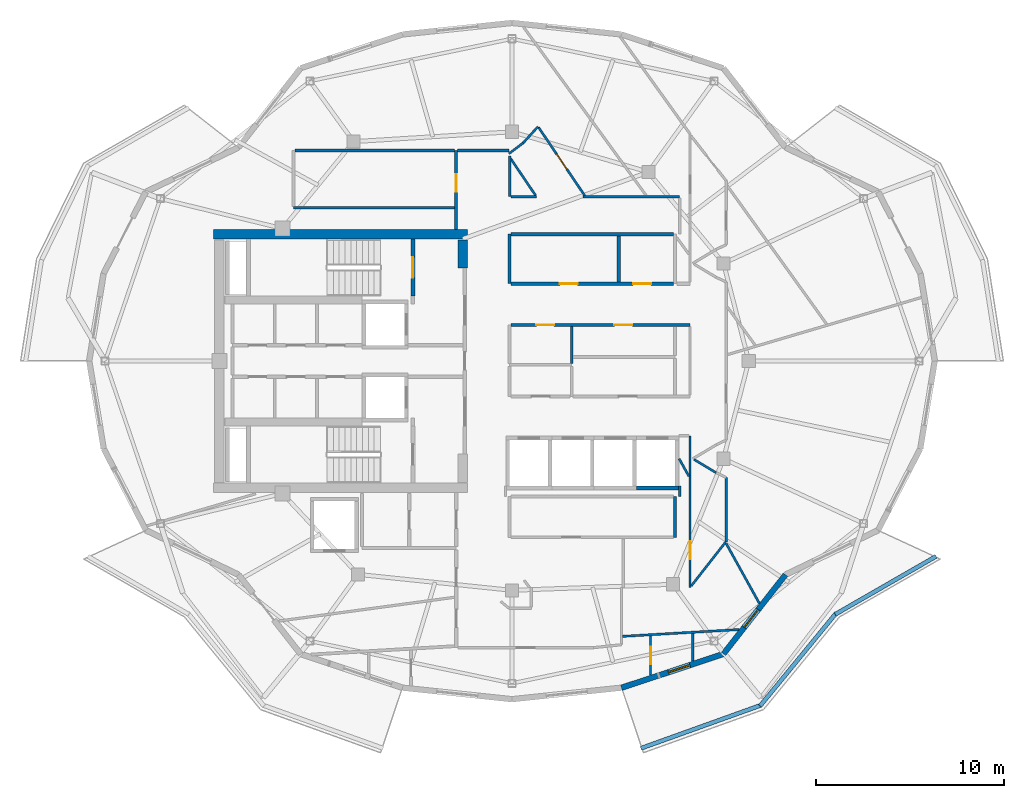
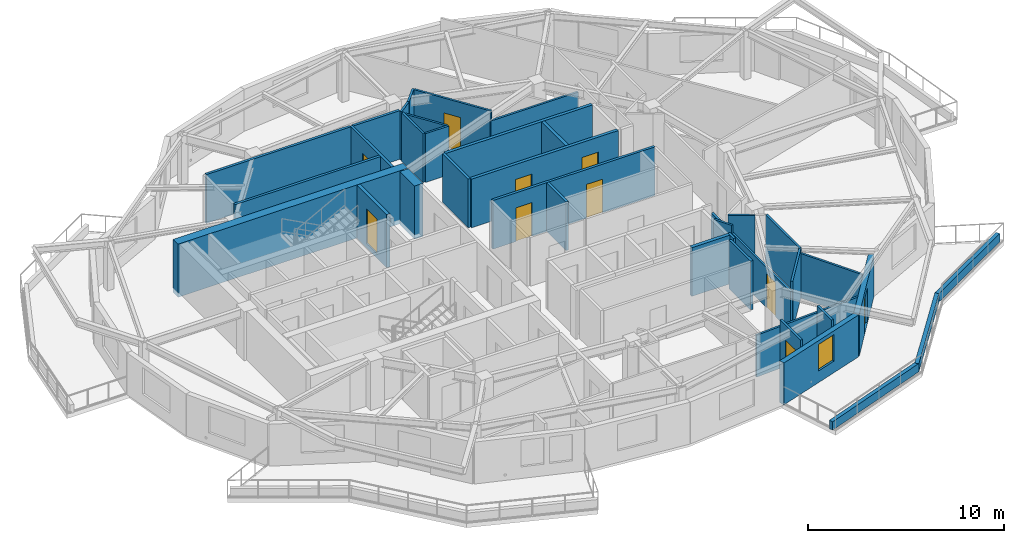
# One storey, part 6 of 11: 37 walls, 10 doors, 1 window, 11 openings.
"""IFC4 building model written with IfcOpenShell, lengths in metres."""

from ifc_helpers import new_model, si_unit, direction, frame, frame_2d, origin, place, context, subcontext, project, spatial, rectangle, extrude, material, layer, layer_set, type_object, element, fill, save


model = new_model("IFC4")

# Units and contexts
model_context = context("Model", 3, precision=1e-05, world=origin(), true_north=direction((0.0, 1.0)))
body_context = subcontext(model_context, "Body", "Model", "MODEL_VIEW")
ifc_project = project(units=[si_unit("LENGTHUNIT", "METRE"), si_unit("AREAUNIT", "SQUARE_METRE"), si_unit("VOLUMEUNIT", "CUBIC_METRE"), si_unit("PLANEANGLEUNIT", "RADIAN"), si_unit("MASSUNIT", "GRAM", prefix="KILO")], contexts=[model_context])

# Site, building, storey
site_placement = place(None, origin())
site = spatial("IfcSite", under=ifc_project, at=site_placement, CompositionType="ELEMENT")
building_placement = place(site_placement, origin())
building = spatial("IfcBuilding", under=site, at=building_placement, Name="Kolvaren Gate Tower and Convention Centre", CompositionType="ELEMENT")
storey_placement = place(building_placement, frame((0.0, 0.0, 242.60009765625)))
storey = spatial("IfcBuildingStorey", under=building, at=storey_placement, Name="L65", CompositionType="ELEMENT", Elevation=242.60009765625)

# Wall, openings, doors
ifc_material_1 = material(Name="Autoclaved Aerated Masonry Blockwork Class 4 (4.0 MPa)", Category="masonry")
ifc_layer_1 = layer(ifc_material_1, 0.179931640625)
ifc_layer_set_1 = layer_set([ifc_layer_1], Name="Autoclaved Aerated Masonry Blockwork Class 4 (4.0 MPa)")
wall_type_1 = type_object("IfcWallType", Name="ARCH-WL-COMP-180", PredefinedType="SOLIDWALL", material=ifc_layer_set_1)
wall_1_placement = place(storey_placement, frame((30.076904296875, 31.1201171875, 0.0), z_axis=(0.0, 0.0, 1.0), x_axis=(1.0, 0.0, 0.0)))
wall_1 = element("IfcWall", 1, at=wall_1_placement, inside=storey, type_object=wall_type_1, Name="Interior Partition WL-L65-INT-028", PredefinedType="SOLIDWALL", context=body_context, shape_type="SweptSolid", body=[
    extrude(rectangle(XDim=8.631103515625, YDim=0.179931640625, at=frame_2d((4.3154296875, 0.0))), origin(), (0.0, 0.0, 1.0), 3.02978515625),
])
opening_1_placement = place(wall_1_placement, frame((2.591552734375, 0.0, 0.0)))
opening_1 = element("IfcOpeningElement", 2, at=opening_1_placement, cuts=wall_1, Name="Opening DR-01", PredefinedType="OPENING", context=body_context, shape_type="SweptSolid", body=[
    extrude(rectangle(XDim=0.949951171875, YDim=2.10009765625, at=frame_2d((0.47509765625, 1.050048828125))), frame((0.0, 0.099853515625, 0.0), z_axis=(0.0, -1.0, 0.0), x_axis=(1.0, 0.0, 0.0)), (0.0, 0.0, 1.0), 0.199951171875),
])
opening_2_placement = place(wall_1_placement, frame((6.4970703125, 0.0, 0.0)))
opening_2 = element("IfcOpeningElement", 3, at=opening_2_placement, cuts=wall_1, Name="Opening DR-01", PredefinedType="OPENING", context=body_context, shape_type="SweptSolid", body=[
    extrude(rectangle(XDim=0.949951171875, YDim=2.10009765625, at=frame_2d((0.47509765625, 1.050048828125))), frame((0.0, 0.099853515625, 0.0), z_axis=(0.0, -1.0, 0.0), x_axis=(1.0, 0.0, 0.0)), (0.0, 0.0, 1.0), 0.199951171875),
])
ifc_material_2 = material(Name="Painted Architectural Steelwork ASTM A500 Grade C 345 MPa", Category="steel")
door_type_1 = type_object("IfcDoorType", Name="ARCH-DR-RISER-950", OperationType="SINGLE_SWING_RIGHT", PredefinedType="DOOR", material=ifc_material_2)
door_1_placement = place(opening_1_placement, origin())
door_1 = element("IfcDoor", 4, at=door_1_placement, inside=storey, type_object=door_type_1, Name="Steward Supply Store Door", OperationType="SINGLE_SWING_LEFT", OverallHeight=2.10009765625, OverallWidth=0.949951171875, PredefinedType="DOOR", context=body_context, shape_type="SweptSolid", body=[
    extrude(rectangle(XDim=0.949951171875, YDim=2.10009765625, at=frame_2d((0.47509765625, 1.050048828125))), frame((0.0, 0.02490234375, 0.0), z_axis=(0.0, -1.0, 0.0), x_axis=(1.0, 0.0, 0.0)), (0.0, 0.0, 1.0), 0.050048828125),
])
fill(opening_1, door_1)
door_2_placement = place(opening_2_placement, origin())
door_2 = element("IfcDoor", 5, at=door_2_placement, inside=storey, type_object=door_type_1, Name="Floor Telecom Switch Room Door", OperationType="SINGLE_SWING_RIGHT", OverallHeight=2.10009765625, OverallWidth=0.949951171875, PredefinedType="DOOR", context=body_context, shape_type="SweptSolid", body=[
    extrude(rectangle(XDim=0.949951171875, YDim=2.10009765625, at=frame_2d((0.47509765625, 1.050048828125))), frame((0.0, 0.02490234375, 0.0), z_axis=(0.0, -1.0, 0.0), x_axis=(1.0, 0.0, 0.0)), (0.0, 0.0, 1.0), 0.050048828125),
])
fill(opening_2, door_2)

# Walls
wall_2_placement = place(storey_placement, frame((30.076904296875, 33.75, 0.0), z_axis=(0.0, 0.0, 1.0), x_axis=(1.0, 0.0, 0.0)))
element("IfcWall", 6, at=wall_2_placement, inside=storey, type_object=wall_type_1, Name="Interior Partition WL-L65-INT-029", PredefinedType="SOLIDWALL", context=body_context, shape_type="SweptSolid", body=[
    extrude(rectangle(XDim=8.631103515625, YDim=0.179931640625, at=frame_2d((4.3154296875, 0.0))), origin(), (0.0, 0.0, 1.0), 3.02978515625),
])
wall_3_placement = place(storey_placement, frame((35.800048828125, 31.2119140625, 0.0), z_axis=(0.0, 0.0, 1.0), x_axis=(0.0, 1.0, 0.0)))
element("IfcWall", 7, at=wall_3_placement, inside=storey, type_object=wall_type_1, Name="Interior Partition WL-L65-INT-030", PredefinedType="SOLIDWALL", context=body_context, shape_type="SweptSolid", body=[
    extrude(rectangle(XDim=2.446044921875, YDim=0.179931640625, at=frame_2d((1.22314453125, 0.0))), origin(), (0.0, 0.0, 1.0), 3.02978515625),
])
ifc_material_3 = material(Name="Fire-Rated Acoustic Gypsum Stud Partition", Category="gypsum")
ifc_layer_2 = layer(ifc_material_3, 0.1201171875)
ifc_layer_set_2 = layer_set([ifc_layer_2], Name="Fire-Rated Acoustic Gypsum Stud Partition")
wall_type_2 = type_object("IfcWallType", Name="ARCH-WL-PART-120", PredefinedType="PARTITIONING", material=ifc_layer_set_2)
wall_4_placement = place(storey_placement, frame((30.0, 35.75, 0.0), z_axis=(0.0, 0.0, 1.0), x_axis=(0.0, 1.0, 0.0)))
element("IfcWall", 8, at=wall_4_placement, inside=storey, type_object=wall_type_2, Name="Interior Partition WL-L65-INT-020", PredefinedType="PARTITIONING", context=body_context, shape_type="SweptSolid", body=[
    extrude(rectangle(XDim=2.1640625, YDim=0.1201171875, at=frame_2d((1.08203125, 0.0))), origin(), (0.0, 0.0, 1.0), 3.02978515625),
])
wall_5_placement = place(storey_placement, frame((29.9599609375, 38.032958984375, 0.0), z_axis=(0.0, 0.0, 1.0), x_axis=(0.79811694623, 0.602502564426, 0.0)))
element("IfcWall", 9, at=wall_5_placement, inside=storey, type_object=wall_type_2, Name="Interior Partition WL-L65-INT-036", PredefinedType="PARTITIONING", context=body_context, shape_type="SweptSolid", body=[
    extrude(rectangle(XDim=0.950927734375, YDim=0.1201171875, at=frame_2d((0.4755859375, 0.0))), origin(), (0.0, 0.0, 1.0), 3.02978515625),
])
wall_6_placement = place(storey_placement, frame((30.718994140625, 38.60595703125, 0.0), z_axis=(0.0, 0.0, 1.0), x_axis=(0.671846687959, 0.740690237466, 0.0)))
element("IfcWall", 10, at=wall_6_placement, inside=storey, type_object=wall_type_2, Name="Interior Partition WL-L65-INT-037", PredefinedType="PARTITIONING", context=body_context, shape_type="SweptSolid", body=[
    extrude(rectangle(XDim=1.177490234375, YDim=0.1201171875, at=frame_2d((0.5888671875, 0.0))), origin(), (0.0, 0.0, 1.0), 3.02978515625),
])

# Wall, opening, door
wall_7_placement = place(storey_placement, frame((31.5458984375, 39.425048828125, 0.0), z_axis=(0.0, 0.0, 1.0), x_axis=(0.56035895857, -0.828249864202, 0.0)))
wall_7 = element("IfcWall", 11, at=wall_7_placement, inside=storey, type_object=wall_type_2, Name="Interior Partition WL-L65-INT-038", PredefinedType="PARTITIONING", context=body_context, shape_type="SweptSolid", body=[
    extrude(rectangle(XDim=4.370849609375, YDim=0.1201171875, at=frame_2d((2.185546875, 0.0))), origin(), (0.0, 0.0, 1.0), 3.02978515625),
])
opening_3_placement = place(wall_7_placement, frame((1.71044921875, 0.0, 0.0)))
opening_3 = element("IfcOpeningElement", 12, at=opening_3_placement, cuts=wall_7, Name="Opening DR-01", PredefinedType="OPENING", context=body_context, shape_type="SweptSolid", body=[
    extrude(rectangle(XDim=0.949951171875, YDim=2.10009765625, at=frame_2d((0.47509765625, 1.050048828125))), frame((0.0, 0.070068359375, 0.0), z_axis=(0.0, -1.0, 0.0), x_axis=(1.0, 0.0, 0.0)), (0.0, 0.0, 1.0), 0.14013671875),
])
door_3_placement = place(opening_3_placement, origin())
door_3 = element("IfcDoor", 13, at=door_3_placement, inside=storey, type_object=door_type_1, Name="Resident Private Study and Home Office Door", OperationType="SINGLE_SWING_LEFT", OverallHeight=2.10009765625, OverallWidth=0.949951171875, PredefinedType="DOOR", context=body_context, shape_type="SweptSolid", body=[
    extrude(rectangle(XDim=0.949951171875, YDim=2.10009765625, at=frame_2d((0.47509765625, 1.050048828125))), frame((0.0, 0.02490234375, 0.0), z_axis=(0.0, -1.0, 0.0), x_axis=(1.0, 0.0, 0.0)), (0.0, 0.0, 1.0), 0.050048828125),
])
fill(opening_3, door_3)

# Walls
wall_8_placement = place(storey_placement, frame((30.06201171875, 35.75, 0.0), z_axis=(0.0, 0.0, 1.0), x_axis=(1.0, 0.0, 0.0)))
element("IfcWall", 14, at=wall_8_placement, inside=storey, type_object=wall_type_2, Name="Interior Partition WL-L65-INT-039", PredefinedType="PARTITIONING", context=body_context, shape_type="SweptSolid", body=[
    extrude(rectangle(XDim=1.362060546875, YDim=0.1201171875, at=frame_2d((0.68115234375, 0.0))), origin(), (0.0, 0.0, 1.0), 3.02978515625),
])
wall_9_placement = place(storey_placement, frame((33.9130859375, 35.75, 0.0), z_axis=(0.0, 0.0, 1.0), x_axis=(1.0, 0.0, 0.0)))
element("IfcWall", 15, at=wall_9_placement, inside=storey, type_object=wall_type_2, Name="Interior Partition WL-L65-INT-040", PredefinedType="PARTITIONING", context=body_context, shape_type="SweptSolid", body=[
    extrude(rectangle(XDim=5.136962890625, YDim=0.1201171875, at=frame_2d((2.568359375, 0.0))), origin(), (0.0, 0.0, 1.0), 2.477783203125),
])
wall_10_placement = place(storey_placement, frame((39.050048828125, 19.800048828125, 0.0), z_axis=(0.0, 0.0, 1.0), x_axis=(0.0, 1.0, 0.0)))
element("IfcWall", 16, at=wall_10_placement, inside=storey, type_object=wall_type_2, Name="Interior Partition WL-L65-INT-041", PredefinedType="PARTITIONING", context=body_context, shape_type="SweptSolid", body=[
    extrude(rectangle(XDim=0.56005859375, YDim=0.1201171875, at=frame_2d((0.280029296875, 0.0))), origin(), (0.0, 0.0, 1.0), 3.02978515625),
])

# Wall, opening, door
wall_11_placement = place(storey_placement, frame((39.60009765625, 14.951904296875, 0.0), z_axis=(0.0, 0.0, 1.0), x_axis=(0.0, 1.0, 0.0)))
wall_11 = element("IfcWall", 17, at=wall_11_placement, inside=storey, type_object=wall_type_2, Name="Interior Partition WL-L65-INT-043", PredefinedType="PARTITIONING", context=body_context, shape_type="SweptSolid", body=[
    extrude(rectangle(XDim=8.068115234375, YDim=0.1201171875, at=frame_2d((4.0341796875, 0.0))), origin(), (0.0, 0.0, 1.0), 2.477783203125),
])
opening_4_placement = place(wall_11_placement, frame((1.5, 0.0, 0.0)))
opening_4 = element("IfcOpeningElement", 18, at=opening_4_placement, cuts=wall_11, Name="Opening DR-01", PredefinedType="OPENING", context=body_context, shape_type="SweptSolid", body=[
    extrude(rectangle(XDim=0.949951171875, YDim=2.10009765625, at=frame_2d((0.47509765625, 1.050048828125))), frame((0.0, 0.070068359375, 0.0), z_axis=(0.0, -1.0, 0.0), x_axis=(1.0, 0.0, 0.0)), (0.0, 0.0, 1.0), 0.14013671875),
])
door_4_placement = place(opening_4_placement, origin())
door_4 = element("IfcDoor", 19, at=door_4_placement, inside=storey, type_object=door_type_1, Name="Resident Sommelier Tasting Pantry Door", OperationType="SINGLE_SWING_RIGHT", OverallHeight=2.10009765625, OverallWidth=0.949951171875, PredefinedType="DOOR", context=body_context, shape_type="SweptSolid", body=[
    extrude(rectangle(XDim=0.949951171875, YDim=2.10009765625, at=frame_2d((0.47509765625, 1.050048828125))), frame((0.0, 0.02490234375, 0.0), z_axis=(0.0, -1.0, 0.0), x_axis=(1.0, 0.0, 0.0)), (0.0, 0.0, 1.0), 0.050048828125),
])
fill(opening_4, door_4)

# Walls
wall_12_placement = place(storey_placement, frame((41.52001953125, 17.360107421875, 0.0), z_axis=(0.0, 0.0, 1.0), x_axis=(0.0, 1.0, 0.0)))
element("IfcWall", 20, at=wall_12_placement, inside=storey, type_object=wall_type_2, Name="Interior Partition WL-L65-INT-047", PredefinedType="PARTITIONING", context=body_context, shape_type="SweptSolid", body=[
    extrude(rectangle(XDim=3.44677734375, YDim=0.1201171875, at=frame_2d((1.723388671875, 0.0))), origin(), (0.0, 0.0, 1.0), 3.02978515625),
])
wall_13_placement = place(storey_placement, frame((39.810302734375, 21.763916015625, 0.0), z_axis=(0.0, 0.0, 1.0), x_axis=(0.858011245414, -0.513630901273, 0.0)))
element("IfcWall", 21, at=wall_13_placement, inside=storey, type_object=wall_type_2, Name="Interior Partition WL-L65-INT-056", PredefinedType="PARTITIONING", context=body_context, shape_type="SweptSolid", body=[
    extrude(rectangle(XDim=1.370361328125, YDim=0.1201171875, at=frame_2d((0.68505859375, 0.0))), origin(), (0.0, 0.0, 1.0), 3.02978515625),
])
wall_14_placement = place(storey_placement, frame((39.662109375, 15.03125, 0.0), z_axis=(0.0, 0.0, 1.0), x_axis=(0.616497420092, 0.787356927334, 0.0)))
element("IfcWall", 22, at=wall_14_placement, inside=storey, type_object=wall_type_2, Name="Interior Partition WL-L65-INT-058", PredefinedType="PARTITIONING", context=body_context, shape_type="SweptSolid", body=[
    extrude(rectangle(XDim=2.957763671875, YDim=0.1201171875, at=frame_2d((1.47900390625, 0.0))), origin(), (0.0, 0.0, 1.0), 3.02978515625),
])
wall_15_placement = place(storey_placement, frame((30.06201171875, 37.76318359375, 0.0), z_axis=(0.0, 0.0, 1.0), x_axis=(0.560355372245, -0.828252290547, 0.0)))
element("IfcWall", 23, at=wall_15_placement, inside=storey, type_object=wall_type_2, Name="Interior Partition WL-L65-INT-065", PredefinedType="PARTITIONING", context=body_context, shape_type="SweptSolid", body=[
    extrude(rectangle(XDim=2.355712890625, YDim=0.1201171875, at=frame_2d((1.177734375, 0.0))), origin(), (0.0, 0.0, 1.0), 3.02978515625),
])
wall_16_placement = place(storey_placement, frame((36.011962890625, 12.350830078125, 0.0), z_axis=(0.0, 0.0, 1.0), x_axis=(0.998301967663, 0.058251020246, 0.0)))
element("IfcWall", 24, at=wall_16_placement, inside=storey, type_object=wall_type_2, Name="Interior Partition WL-L65-INT-074", PredefinedType="PARTITIONING", context=body_context, shape_type="SweptSolid", body=[
    extrude(rectangle(XDim=6.19873046875, YDim=0.1201171875, at=frame_2d((3.099365234375, 0.0))), origin(), (0.0, 0.0, 1.0), 2.60498046875),
])

# Wall, opening, door
wall_17_placement = place(storey_placement, frame((37.5, 10.28759765625, 0.0), z_axis=(0.0, 0.0, 1.0), x_axis=(0.0, 1.0, 0.0)))
wall_17 = element("IfcWall", 25, at=wall_17_placement, inside=storey, type_object=wall_type_2, Name="Interior Partition WL-L65-INT-076", PredefinedType="PARTITIONING", context=body_context, shape_type="SweptSolid", body=[
    extrude(rectangle(XDim=2.087890625, YDim=0.1201171875, at=frame_2d((1.0439453125, 0.0))), origin(), (0.0, 0.0, 1.0), 3.02978515625),
])
opening_5_placement = place(wall_17_placement, frame((0.569091796875, 0.0, 0.0)))
opening_5 = element("IfcOpeningElement", 26, at=opening_5_placement, cuts=wall_17, Name="Opening DI-01", PredefinedType="OPENING", context=body_context, shape_type="SweptSolid", body=[
    extrude(rectangle(XDim=0.949951171875, YDim=2.10009765625, at=frame_2d((0.47509765625, 1.050048828125))), frame((0.0, 0.070068359375, 0.0), z_axis=(0.0, -1.0, 0.0), x_axis=(1.0, 0.0, 0.0)), (0.0, 0.0, 1.0), 0.14013671875),
])
ifc_material_4 = material(Name="FSC Andean Oak Engineered Veneer Door Leaf", Category="wood")
door_type_2 = type_object("IfcDoorType", Name="ARCH-DR-INT-950", OperationType="SINGLE_SWING_LEFT", PredefinedType="DOOR", material=ifc_material_4)
door_5_placement = place(opening_5_placement, origin())
door_5 = element("IfcDoor", 27, at=door_5_placement, inside=storey, type_object=door_type_2, Name="Apartment Fitted Kitchen (APT-L65-01) Door", OperationType="SINGLE_SWING_RIGHT", OverallHeight=2.10009765625, OverallWidth=0.949951171875, PredefinedType="DOOR", context=body_context, shape_type="SweptSolid", body=[
    extrude(rectangle(XDim=0.949951171875, YDim=2.10009765625, at=frame_2d((0.47509765625, 1.050048828125))), frame((0.0, 0.02490234375, 0.0), z_axis=(0.0, -1.0, 0.0), x_axis=(1.0, 0.0, 0.0)), (0.0, 0.0, 1.0), 0.050048828125),
])
fill(opening_5, door_5)

# Walls
wall_18_placement = place(storey_placement, frame((39.75, 11.033203125, 0.0), z_axis=(0.0, 0.0, 1.0), x_axis=(0.0, 1.0, 0.0)))
element("IfcWall", 28, at=wall_18_placement, inside=storey, type_object=wall_type_2, Name="Interior Partition WL-L65-INT-077", PredefinedType="PARTITIONING", context=body_context, shape_type="SweptSolid", body=[
    extrude(rectangle(XDim=1.4736328125, YDim=0.1201171875, at=frame_2d((0.73681640625, 0.0))), origin(), (0.0, 0.0, 1.0), 3.02978515625),
])
wall_19_placement = place(storey_placement, frame((39.02001953125, 21.802978515625, 0.0), z_axis=(0.0, 0.0, 1.0), x_axis=(0.485021793049, -0.874502064187, 0.0)))
element("IfcWall", 29, at=wall_19_placement, inside=storey, type_object=wall_type_2, Name="Interior Partition WL-L65-INT-079", PredefinedType="PARTITIONING", context=body_context, shape_type="SweptSolid", body=[
    extrude(rectangle(XDim=1.068115234375, YDim=0.1201171875, at=frame_2d((0.5341796875, 0.0))), origin(), (0.0, 0.0, 1.0), 3.02978515625),
])
wall_20_placement = place(storey_placement, frame((41.51708984375, 17.2998046875, 0.0), z_axis=(0.0, 0.0, 1.0), x_axis=(0.484911097078, -0.874563449917, 0.0)))
element("IfcWall", 30, at=wall_20_placement, inside=storey, type_object=wall_type_2, Name="Interior Partition WL-L65-INT-080", PredefinedType="PARTITIONING", context=body_context, shape_type="SweptSolid", body=[
    extrude(rectangle(XDim=3.65478515625, YDim=0.1201171875, at=frame_2d((1.827392578125, 0.0))), origin(), (0.0, 0.0, 1.0), 2.77001953125),
])
ifc_material_5 = material(Name="Piedmont Cream Honed Limestone Cladding", Category="masonry")
ifc_layer_3 = layer(ifc_material_5, 0.219970703125)
ifc_layer_set_3 = layer_set([ifc_layer_3], Name="Piedmont Cream Honed Limestone Cladding")
wall_type_3 = type_object("IfcWallType", Name="ARCH-WL-PLANTER-220", PredefinedType="PARAPET", material=ifc_layer_set_3)
wall_21_placement = place(storey_placement, frame((36.982177734375, 6.3916015625, 0.0), z_axis=(0.0, 0.0, 1.0), x_axis=(0.941139090914, 0.338019543152, 0.0)))
element("IfcWall", 31, at=wall_21_placement, inside=storey, type_object=wall_type_3, Name="Vertical-Forest Balcony Stone Planter Kerb PK-L65-4.1", PredefinedType="PARAPET", context=body_context, shape_type="SweptSolid", body=[
    extrude(rectangle(XDim=6.806640625, YDim=0.219970703125, at=frame_2d((3.4033203125, 0.0))), origin(), (0.0, 0.0, 1.0), 0.52001953125),
])
wall_22_placement = place(storey_placement, frame((43.322998046875, 8.64599609375, 0.0), z_axis=(0.0, 0.0, 1.0), x_axis=(0.63407318032, 0.77327304492, 0.0)))
element("IfcWall", 32, at=wall_22_placement, inside=storey, type_object=wall_type_3, Name="Vertical-Forest Balcony Stone Planter Kerb PK-L65-4.2", PredefinedType="PARAPET", context=body_context, shape_type="SweptSolid", body=[
    extrude(rectangle(XDim=6.37890625, YDim=0.219970703125, at=frame_2d((3.189453125, 0.0))), origin(), (0.0, 0.0, 1.0), 0.52001953125),
])
wall_23_placement = place(storey_placement, frame((47.3212890625, 13.5205078125, 0.0), z_axis=(0.0, 0.0, 1.0), x_axis=(0.866901621005, 0.49847926687, 0.0)))
element("IfcWall", 33, at=wall_23_placement, inside=storey, type_object=wall_type_3, Name="Vertical-Forest Balcony Stone Planter Kerb PK-L65-4.3", PredefinedType="PARAPET", context=body_context, shape_type="SweptSolid", body=[
    extrude(rectangle(XDim=6.196533203125, YDim=0.219970703125, at=frame_2d((3.09814453125, 0.0))), origin(), (0.0, 0.0, 1.0), 0.52001953125),
])
ifc_layer_4 = layer(ifc_material_1, 0.199951171875)
ifc_layer_set_4 = layer_set([ifc_layer_4], Name="Autoclaved Aerated Masonry Blockwork Class 4 (4.0 MPa)")
wall_type_4 = type_object("IfcWallType", Name="ARCH-WL-SHAFT-200", PredefinedType="SOLIDWALL", material=ifc_layer_set_4)
wall_24_placement = place(storey_placement, frame((36.75, 20.25, 0.0), z_axis=(0.0, 0.0, 1.0), x_axis=(1.0, 0.0, 0.0)))
element("IfcWall", 34, at=wall_24_placement, inside=storey, type_object=wall_type_4, Name="Elevator PL-12 L65 Fire Shaft Wall S", PredefinedType="SOLIDWALL", context=body_context, shape_type="SweptSolid", body=[
    extrude(rectangle(XDim=2.25, YDim=0.199951171875, at=frame_2d((1.125, 0.0))), origin(), (0.0, 0.0, 1.0), 3.02978515625),
])

# Wall, opening, window
ifc_layer_5 = layer(ifc_material_5, 0.300048828125)
ifc_layer_set_5 = layer_set([ifc_layer_5], Name="Piedmont Cream Honed Limestone Cladding")
wall_type_5 = type_object("IfcWallType", Name="ARCH-WL-STONE-300", PredefinedType="SOLIDWALL", material=ifc_layer_set_5)
wall_25_placement = place(storey_placement, frame((35.948486328125, 9.61328125, 0.0), z_axis=(0.0, 0.0, 1.0), x_axis=(0.949232769585, 0.314574552605, 0.0)))
wall_25 = element("IfcWall", 35, at=wall_25_placement, inside=storey, type_object=wall_type_5, Name="Tower L65 Honed Stone Spandrel Wall EW-19", PredefinedType="SOLIDWALL", context=body_context, shape_type="SweptSolid", body=[
    extrude(rectangle(XDim=5.716796875, YDim=0.300048828125, at=frame_2d((2.8583984375, 0.0))), origin(), (0.0, 0.0, 1.0), 2.60498046875),
])
opening_6_placement = place(wall_25_placement, frame((2.639892578125, 0.0, 0.719970703125)))
opening_6 = element("IfcOpeningElement", 36, at=opening_6_placement, cuts=wall_25, Name="Opening W-04", PredefinedType="OPENING", context=body_context, shape_type="SweptSolid", body=[
    extrude(rectangle(XDim=1.199951171875, YDim=1.64990234375, at=frame_2d((0.60009765625, 0.824951171875))), frame((0.0, 0.159912109375, 0.0), z_axis=(0.0, -1.0, 0.0), x_axis=(1.0, 0.0, 0.0)), (0.0, 0.0, 1.0), 0.320068359375),
])
ifc_material_6 = material(Name="Low-E Triple Insulated Glazing Unit 44 mm", Category="glass")
window_type = type_object("IfcWindowType", Name="ARCH-WN-NARROW-1200", PartitioningType="SINGLE_PANEL", PredefinedType="WINDOW", material=ifc_material_6)
window_placement = place(opening_6_placement, origin())
window = element("IfcWindow", 37, at=window_placement, inside=storey, type_object=window_type, Name="Tower L65 Punched Stone Facade Window W-19", OverallHeight=1.64990234375, OverallWidth=1.199951171875, PartitioningType="SINGLE_PANEL", PredefinedType="WINDOW", context=body_context, shape_type="SweptSolid", body=[
    extrude(rectangle(XDim=1.199951171875, YDim=1.64990234375, at=frame_2d((0.60009765625, 0.824951171875))), frame((0.0, 0.030029296875, 0.0), z_axis=(0.0, -1.0, 0.0), x_axis=(1.0, 0.0, 0.0)), (0.0, 0.0, 1.0), 0.06005859375),
])
fill(opening_6, window)

# Wall, opening, door
wall_26_placement = place(storey_placement, frame((41.375, 11.41162109375, 0.0), z_axis=(0.0, 0.0, 1.0), x_axis=(0.61644588519, 0.787397276241, 0.0)))
wall_26 = element("IfcWall", 38, at=wall_26_placement, inside=storey, type_object=wall_type_5, Name="Tower L65 Honed Stone Spandrel Wall EW-20", PredefinedType="SOLIDWALL", context=body_context, shape_type="SweptSolid", body=[
    extrude(rectangle(XDim=5.35693359375, YDim=0.300048828125, at=frame_2d((2.678466796875, 0.0))), origin(), (0.0, 0.0, 1.0), 2.60498046875),
])
opening_7_placement = place(wall_26_placement, frame((1.800048828125, 0.0, 0.0)))
opening_7 = element("IfcOpeningElement", 39, at=opening_7_placement, cuts=wall_26, Name="Opening DB-02", PredefinedType="OPENING", context=body_context, shape_type="SweptSolid", body=[
    extrude(rectangle(XDim=1.199951171875, YDim=2.199951171875, at=frame_2d((0.60009765625, 1.10009765625))), frame((0.0, 0.159912109375, 0.0), z_axis=(0.0, -1.0, 0.0), x_axis=(1.0, 0.0, 0.0)), (0.0, 0.0, 1.0), 0.320068359375),
])
ifc_material_7 = material(Name="Anodized Architectural Aluminium Alloy 6063-T6", Category="aluminium")
door_type_3 = type_object("IfcDoorType", Name="ARCH-DR-BALC-1200", OperationType="NOTDEFINED", PredefinedType="DOOR", material=ifc_material_7)
door_6_placement = place(opening_7_placement, frame((1.199951171875, 0.0, 0.0), z_axis=(0.0, 0.0, 1.0), x_axis=(-1.0, 0.0, 0.0)))
door_6 = element("IfcDoor", 40, at=door_6_placement, inside=storey, type_object=door_type_3, Name="Planted Sky Terrace Access Door DB-L65-20", OperationType="SLIDING_TO_LEFT", OverallHeight=2.199951171875, OverallWidth=1.199951171875, PredefinedType="DOOR", context=body_context, shape_type="SweptSolid", body=[
    extrude(rectangle(XDim=1.199951171875, YDim=2.199951171875, at=frame_2d((0.60009765625, 1.10009765625))), frame((0.0, 0.02490234375, 0.0), z_axis=(0.0, -1.0, 0.0), x_axis=(1.0, 0.0, 0.0)), (0.0, 0.0, 1.0), 0.050048828125),
])
fill(opening_7, door_6)

ifc_material_8 = material(Name="Moisture-Resistant Cement-Board Acoustic Partition", Category="gypsum")
ifc_layer_6 = layer(ifc_material_8, 0.14990234375)
ifc_layer_set_6 = layer_set([ifc_layer_6], Name="Moisture-Resistant Cement-Board Acoustic Partition")
wall_type_6 = type_object("IfcWallType", Name="ARCH-WL-WET-150", PredefinedType="PARTITIONING", material=ifc_layer_set_6)
wall_27_placement = place(storey_placement, frame((27.14990234375, 34.001953125, 0.0), z_axis=(0.0, 0.0, 1.0), x_axis=(0.0, 1.0, 0.0)))
wall_27 = element("IfcWall", 41, at=wall_27_placement, inside=storey, type_object=wall_type_6, Name="Interior Partition WL-L65-INT-015", PredefinedType="PARTITIONING", context=body_context, shape_type="SweptSolid", body=[
    extrude(rectangle(XDim=4.197998046875, YDim=0.14990234375, at=frame_2d((2.09912109375, 0.0))), origin(), (0.0, 0.0, 1.0), 3.02978515625),
])
opening_8_placement = place(wall_27_placement, frame((1.998046875, 0.0, 0.0)))
opening_8 = element("IfcOpeningElement", 42, at=opening_8_placement, cuts=wall_27, Name="Opening DR-01", PredefinedType="OPENING", context=body_context, shape_type="SweptSolid", body=[
    extrude(rectangle(XDim=0.949951171875, YDim=2.10009765625, at=frame_2d((0.47509765625, 1.050048828125))), frame((0.0, 0.0849609375, 0.0), z_axis=(0.0, -1.0, 0.0), x_axis=(1.0, 0.0, 0.0)), (0.0, 0.0, 1.0), 0.169921875),
])
door_7_placement = place(opening_8_placement, origin())
door_7 = element("IfcDoor", 43, at=door_7_placement, inside=storey, type_object=door_type_1, Name="Reclaimed North Resident Store Door", OperationType="SINGLE_SWING_RIGHT", OverallHeight=2.10009765625, OverallWidth=0.949951171875, PredefinedType="DOOR", context=body_context, shape_type="SweptSolid", body=[
    extrude(rectangle(XDim=0.949951171875, YDim=2.10009765625, at=frame_2d((0.47509765625, 1.050048828125))), frame((0.0, 0.02490234375, 0.0), z_axis=(0.0, -1.0, 0.0), x_axis=(1.0, 0.0, 0.0)), (0.0, 0.0, 1.0), 0.050048828125),
])
fill(opening_8, door_7)

# Wall
wall_28_placement = place(storey_placement, frame((30.0, 31.1201171875, 0.0), z_axis=(0.0, 0.0, 1.0), x_axis=(0.0, 1.0, 0.0)))
element("IfcWall", 44, at=wall_28_placement, inside=storey, type_object=wall_type_6, Name="Interior Partition WL-L65-INT-019", PredefinedType="PARTITIONING", context=body_context, shape_type="SweptSolid", body=[
    extrude(rectangle(XDim=2.6298828125, YDim=0.14990234375, at=frame_2d((1.31494140625, 0.0))), origin(), (0.0, 0.0, 1.0), 3.02978515625),
])

# Wall, openings, doors
wall_29_placement = place(storey_placement, frame((30.076904296875, 28.919921875, 0.0), z_axis=(0.0, 0.0, 1.0), x_axis=(1.0, 0.0, 0.0)))
wall_29 = element("IfcWall", 45, at=wall_29_placement, inside=storey, type_object=wall_type_6, Name="Interior Partition WL-L65-INT-021", PredefinedType="PARTITIONING", context=body_context, shape_type="SweptSolid", body=[
    extrude(rectangle(XDim=9.523193359375, YDim=0.14990234375, at=frame_2d((4.76171875, 0.0))), origin(), (0.0, 0.0, 1.0), 3.02978515625),
])
opening_9_placement = place(wall_29_placement, frame((1.341552734375, 0.0, 0.0)))
opening_9 = element("IfcOpeningElement", 46, at=opening_9_placement, cuts=wall_29, Name="Opening DR-01", PredefinedType="OPENING", context=body_context, shape_type="SweptSolid", body=[
    extrude(rectangle(XDim=0.949951171875, YDim=2.10009765625, at=frame_2d((0.47509765625, 1.050048828125))), frame((0.0, 0.0849609375, 0.0), z_axis=(0.0, -1.0, 0.0), x_axis=(1.0, 0.0, 0.0)), (0.0, 0.0, 1.0), 0.169921875),
])
opening_10_placement = place(wall_29_placement, frame((5.498046875, 0.0, 0.0)))
opening_10 = element("IfcOpeningElement", 47, at=opening_10_placement, cuts=wall_29, Name="Opening DR-01", PredefinedType="OPENING", context=body_context, shape_type="SweptSolid", body=[
    extrude(rectangle(XDim=0.949951171875, YDim=2.10009765625, at=frame_2d((0.47509765625, 1.050048828125))), frame((0.0, 0.0849609375, 0.0), z_axis=(0.0, -1.0, 0.0), x_axis=(1.0, 0.0, 0.0)), (0.0, 0.0, 1.0), 0.169921875),
])
door_8_placement = place(opening_9_placement, origin())
door_8 = element("IfcDoor", 48, at=door_8_placement, inside=storey, type_object=door_type_1, Name="Accessible North Washroom Door", OperationType="SINGLE_SWING_LEFT", OverallHeight=2.10009765625, OverallWidth=0.949951171875, PredefinedType="DOOR", context=body_context, shape_type="SweptSolid", body=[
    extrude(rectangle(XDim=0.949951171875, YDim=2.10009765625, at=frame_2d((0.47509765625, 1.050048828125))), frame((0.0, 0.02490234375, 0.0), z_axis=(0.0, -1.0, 0.0), x_axis=(1.0, 0.0, 0.0)), (0.0, 0.0, 1.0), 0.050048828125),
])
fill(opening_9, door_8)
door_9_placement = place(opening_10_placement, origin())
door_9 = element("IfcDoor", 49, at=door_9_placement, inside=storey, type_object=door_type_1, Name="Floor Janitor and Supply Store Door", OperationType="SINGLE_SWING_LEFT", OverallHeight=2.10009765625, OverallWidth=0.949951171875, PredefinedType="DOOR", context=body_context, shape_type="SweptSolid", body=[
    extrude(rectangle(XDim=0.949951171875, YDim=2.10009765625, at=frame_2d((0.47509765625, 1.050048828125))), frame((0.0, 0.02490234375, 0.0), z_axis=(0.0, -1.0, 0.0), x_axis=(1.0, 0.0, 0.0)), (0.0, 0.0, 1.0), 0.050048828125),
])
fill(opening_10, door_9)

# Walls
wall_30_placement = place(storey_placement, frame((33.300048828125, 26.876953125, 0.0), z_axis=(0.0, 0.0, 1.0), x_axis=(0.0, 1.0, 0.0)))
element("IfcWall", 50, at=wall_30_placement, inside=storey, type_object=wall_type_6, Name="Interior Partition WL-L65-INT-022 (2)", PredefinedType="PARTITIONING", context=body_context, shape_type="SweptSolid", body=[
    extrude(rectangle(XDim=1.966064453125, YDim=0.14990234375, at=frame_2d((0.98291015625, 0.0))), origin(), (0.0, 0.0, 1.0), 3.02978515625),
])
wall_31_placement = place(storey_placement, frame((38.800048828125, 17.6201171875, 0.0), z_axis=(0.0, 0.0, 1.0), x_axis=(0.0, 1.0, 0.0)))
element("IfcWall", 51, at=wall_31_placement, inside=storey, type_object=wall_type_6, Name="Interior Partition WL-L65-INT-025", PredefinedType="PARTITIONING", context=body_context, shape_type="SweptSolid", body=[
    extrude(rectangle(XDim=2.179931640625, YDim=0.14990234375, at=frame_2d((1.08984375, 0.0))), origin(), (0.0, 0.0, 1.0), 3.02978515625),
])
wall_32_placement = place(storey_placement, frame((18.5, 35.159912109375, 0.0), z_axis=(0.0, 0.0, 1.0), x_axis=(1.0, 0.0, 0.0)))
element("IfcWall", 52, at=wall_32_placement, inside=storey, type_object=wall_type_6, Name="Interior Partition WL-L65-INT-033", PredefinedType="PARTITIONING", context=body_context, shape_type="SweptSolid", body=[
    extrude(rectangle(XDim=8.572998046875, YDim=0.14990234375, at=frame_2d((4.28662109375, 0.0))), origin(), (0.0, 0.0, 1.0), 3.02978515625),
])
wall_33_placement = place(storey_placement, frame((18.576904296875, 38.199951171875, 0.0), z_axis=(0.0, 0.0, 1.0), x_axis=(1.0, 0.0, 0.0)))
element("IfcWall", 53, at=wall_33_placement, inside=storey, type_object=wall_type_6, Name="Interior Partition WL-L65-INT-035", PredefinedType="PARTITIONING", context=body_context, shape_type="SweptSolid", body=[
    extrude(rectangle(XDim=8.49609375, YDim=0.14990234375, at=frame_2d((4.248046875, 0.0))), origin(), (0.0, 0.0, 1.0), 3.02978515625),
])
wall_34_placement = place(storey_placement, frame((27.22705078125, 38.199951171875, 0.0), z_axis=(0.0, 0.0, 1.0), x_axis=(1.0, 0.0, 0.0)))
element("IfcWall", 54, at=wall_34_placement, inside=storey, type_object=wall_type_6, Name="Interior Partition WL-L65-INT-035 (2)", PredefinedType="PARTITIONING", context=body_context, shape_type="SweptSolid", body=[
    extrude(rectangle(XDim=2.73291015625, YDim=0.14990234375, at=frame_2d((1.366455078125, 0.0))), origin(), (0.0, 0.0, 1.0), 3.02978515625),
])
ifc_material_9 = material(Name="Concrete C50/60", Category="concrete")
ifc_layer_7 = layer(ifc_material_9, 0.5)
ifc_layer_set_7 = layer_set([ifc_layer_7], Name="Concrete C50/60")
wall_type_7 = type_object("IfcWallType", Name="STR-WL-CORE-500", PredefinedType="SHEAR", material=ifc_layer_set_7)
wall_35_placement = place(storey_placement, frame((14.25, 33.75, -0.27001953125), z_axis=(0.0, 0.0, 1.0), x_axis=(1.0, 0.0, 0.0)))
element("IfcWall", 55, at=wall_35_placement, inside=storey, type_object=wall_type_7, Name="Tower L65 Offset Core Shear Wall N", PredefinedType="SHEAR", context=body_context, shape_type="SweptSolid", body=[
    extrude(rectangle(XDim=13.5, YDim=0.5, at=frame_2d((6.75, 0.0))), origin(), (0.0, 0.0, 1.0), 3.2998046875),
])
wall_36_placement = place(storey_placement, frame((27.5, 31.949951171875, -0.27001953125), z_axis=(0.0, 0.0, 1.0), x_axis=(0.0, 1.0, 0.0)))
element("IfcWall", 56, at=wall_36_placement, inside=storey, type_object=wall_type_7, Name="Tower L65 Offset Core Shear Wall EN", PredefinedType="SHEAR", context=body_context, shape_type="SweptSolid", body=[
    extrude(rectangle(XDim=1.5, YDim=0.5, at=frame_2d((0.75, 0.0))), origin(), (0.0, 0.0, 1.0), 3.2998046875),
])

# Wall, opening, door
ifc_layer_8 = layer(ifc_material_9, 0.199951171875)
ifc_layer_set_8 = layer_set([ifc_layer_8], Name="Concrete C50/60")
wall_type_8 = type_object("IfcWallType", Name="STR-WL-SHAFT-200", PredefinedType="SHEAR", material=ifc_layer_set_8)
wall_37_placement = place(storey_placement, frame((24.85009765625, 30.4599609375, -0.27001953125), z_axis=(0.0, 0.0, 1.0), x_axis=(0.0, 1.0, 0.0)))
wall_37 = element("IfcWall", 57, at=wall_37_placement, inside=storey, type_object=wall_type_8, Name="Tower North Exit Stair ST-T1 L65 Structural Shear Enclosure Wall NEAR", PredefinedType="SHEAR", context=body_context, shape_type="SweptSolid", body=[
    extrude(rectangle(XDim=3.0380859375, YDim=0.199951171875, at=frame_2d((1.51904296875, 0.0))), origin(), (0.0, 0.0, 1.0), 3.2998046875),
])
opening_11_placement = place(wall_37_placement, frame((0.968994140625, 0.0, 0.27001953125)))
opening_11 = element("IfcOpeningElement", 58, at=opening_11_placement, cuts=wall_37, Name="Opening DS-01", PredefinedType="OPENING", context=body_context, shape_type="SweptSolid", body=[
    extrude(rectangle(XDim=1.10009765625, YDim=2.14990234375, at=frame_2d((0.550048828125, 1.074951171875))), frame((0.0, 0.10986328125, 0.0), z_axis=(0.0, -1.0, 0.0), x_axis=(1.0, 0.0, 0.0)), (0.0, 0.0, 1.0), 0.219970703125),
])
door_type_4 = type_object("IfcDoorType", Name="ARCH-DR-STAIR-1100", OperationType="SINGLE_SWING_LEFT", PredefinedType="DOOR", material=ifc_material_2)
door_10_placement = place(opening_11_placement, origin())
door_10 = element("IfcDoor", 59, at=door_10_placement, inside=storey, type_object=door_type_4, Name="Tower North Exit Stair ST-T1 L65 Fire Exit Stair Door", OperationType="SINGLE_SWING_LEFT", OverallHeight=2.14990234375, OverallWidth=1.10009765625, PredefinedType="DOOR", context=body_context, shape_type="SweptSolid", body=[
    extrude(rectangle(XDim=1.10009765625, YDim=2.14990234375, at=frame_2d((0.550048828125, 1.074951171875))), frame((0.0, 0.02490234375, 0.0), z_axis=(0.0, -1.0, 0.0), x_axis=(1.0, 0.0, 0.0)), (0.0, 0.0, 1.0), 0.050048828125),
])
fill(opening_11, door_10)

save(model, "model.ifc")
